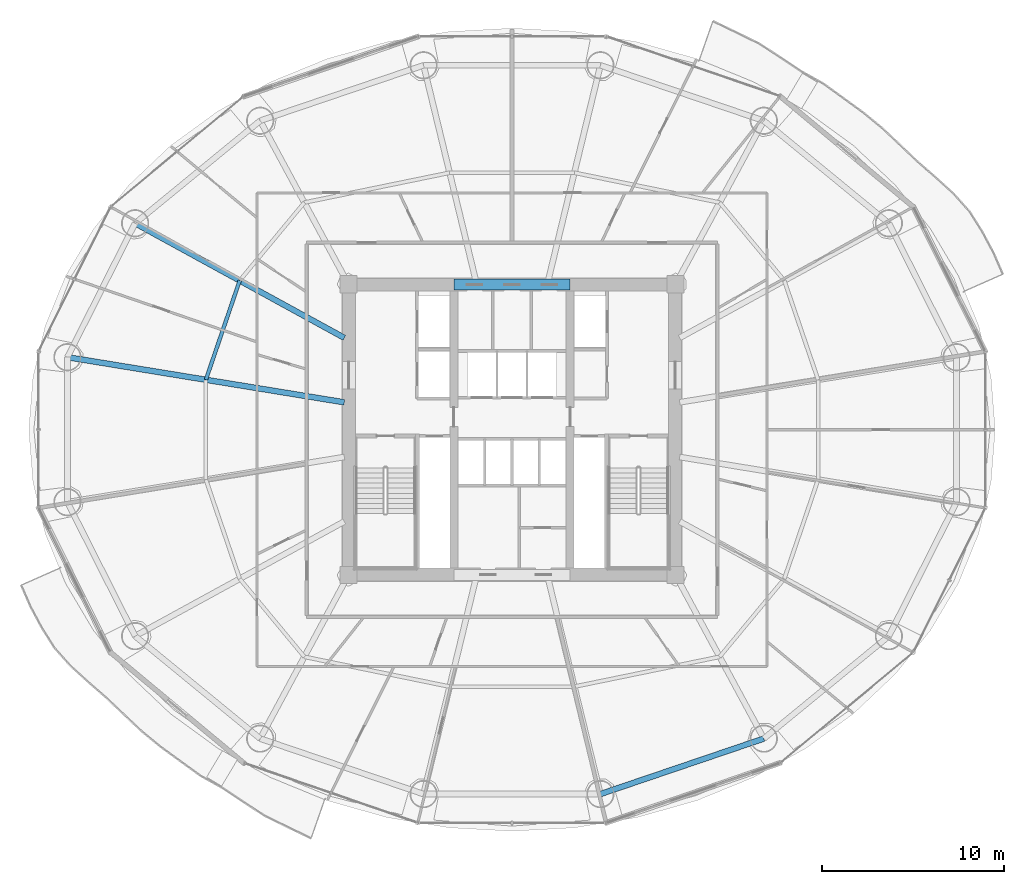
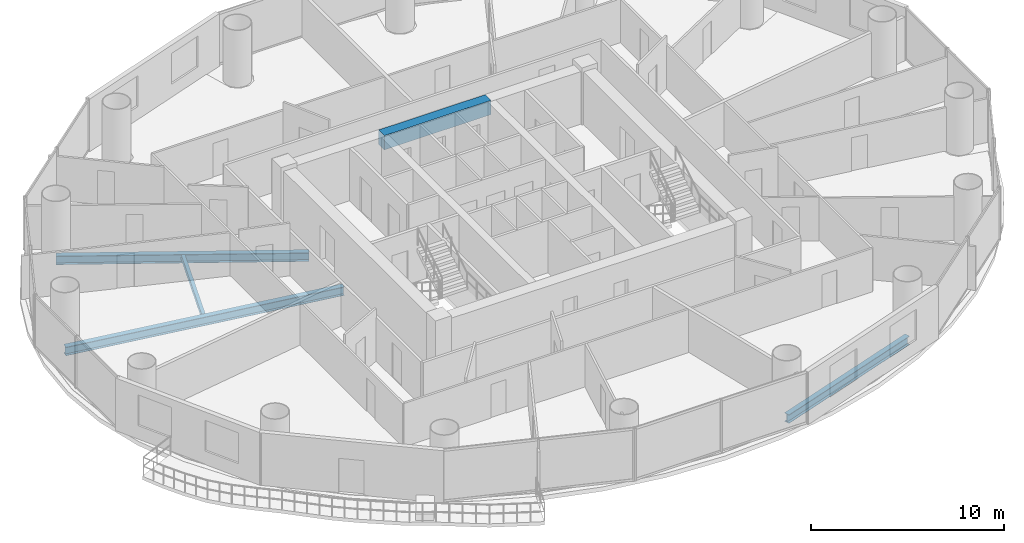
# One storey, part 10 of 29: 5 beams.
"""IFC4 building model written with IfcOpenShell, lengths in metres."""

from ifc_helpers import new_model, si_unit, direction, frame, origin, origin_2d, place, context, subcontext, project, spatial, rectangle, i_section, extrude, material, material_profile, profile_set, type_object, element, save


model = new_model("IFC4")

# Units and contexts
model_context = context("Model", 3, precision=1e-05, world=origin(), true_north=direction((-0.2419218956, 0.970295726276)))
body_context = subcontext(model_context, "Body", "Model", "MODEL_VIEW")
ifc_project = project(units=[si_unit("LENGTHUNIT", "METRE"), si_unit("AREAUNIT", "SQUARE_METRE"), si_unit("VOLUMEUNIT", "CUBIC_METRE"), si_unit("PLANEANGLEUNIT", "RADIAN"), si_unit("MASSUNIT", "GRAM", prefix="KILO")], contexts=[model_context])

# Site, building, storey
site_placement = place(None, origin())
site = spatial("IfcSite", under=ifc_project, at=site_placement, CompositionType="ELEMENT")
building_placement = place(site_placement, origin())
building = spatial("IfcBuilding", under=site, at=building_placement, Name="Cobrevalo Terracotta Tower", CompositionType="ELEMENT")
storey_placement = place(building_placement, frame((0.0, 0.0, 83.39990234375)))
storey = spatial("IfcBuildingStorey", under=building, at=storey_placement, Name="L21", CompositionType="ELEMENT", Elevation=83.39990234375)

# Beams
ifc_material_1 = material(Name="Concrete C60", Category="concrete")
ifc_material_profile_1 = material_profile(ifc_material_1, rectangle(XDim=0.60009765625, YDim=0.89990234375, at=origin_2d()), Name="RC CB 600x900")
ifc_profile_set_1 = profile_set([ifc_material_profile_1], Name="Concrete C60")
beam_type_1 = type_object("IfcBeamType", Name="Structural Beam RC CB 600x900 (Concrete C60)", PredefinedType="BEAM", material=ifc_profile_set_1)
beam_1_placement = place(storey_placement, frame((34.800048828125, 34.800048828125, 2.875), z_axis=(1.0, 0.0, 0.0), x_axis=(0.0, 1.0, 0.0)))
element("IfcBeam", 1, at=beam_1_placement, inside=storey, type_object=beam_type_1, Name="L21 core coupling beam 2", PredefinedType="BEAM", context=body_context, shape_type="SweptSolid", body=[
    extrude(rectangle(XDim=0.60009765625, YDim=0.89990234375, at=origin_2d()), origin(), (0.0, 0.0, 1.0), 6.39990234375),
])
ifc_material_2 = material(Name="Steel S355", Category="steel")
ifc_material_profile_2 = material_profile(ifc_material_2, i_section(OverallWidth=0.31201171875, OverallDepth=0.54296875, WebThickness=0.0126953125, FlangeThickness=0.020263671875, at=origin_2d()), Name="W 530x150")
ifc_profile_set_2 = profile_set([ifc_material_profile_2], Name="Steel S355")
beam_type_2 = type_object("IfcBeamType", Name="Structural Beam W 530x150 (Steel S355)", PredefinedType="BEAM", material=ifc_profile_set_2)
beam_2_placement = place(storey_placement, frame((17.2548828125, 38.161376953125, -0.54638671875), z_axis=(0.877080599376, -0.480343233738, 0.0), x_axis=(0.480343233738, 0.877080599376, 0.0)))
element("IfcBeam", 2, at=beam_2_placement, inside=storey, type_object=beam_type_2, Name="L21 radial floor girder 07", PredefinedType="BEAM", context=body_context, shape_type="SweptSolid", body=[
    extrude(i_section(OverallWidth=0.31201171875, OverallDepth=0.54296875, WebThickness=0.0126953125, FlangeThickness=0.020263671875, at=origin_2d()), origin(), (0.0, 0.0, 1.0), 13.12890625),
])
beam_3_placement = place(storey_placement, frame((13.529296875, 30.78955078125, -0.54638671875), z_axis=(0.986970567439, -0.160900898101, 0.0), x_axis=(0.160900898101, 0.986970567439, 0.0)))
element("IfcBeam", 3, at=beam_3_placement, inside=storey, type_object=beam_type_2, Name="L21 radial floor girder 08", PredefinedType="BEAM", context=body_context, shape_type="SweptSolid", body=[
    extrude(i_section(OverallWidth=0.31201171875, OverallDepth=0.54296875, WebThickness=0.0126953125, FlangeThickness=0.020263671875, at=origin_2d()), origin(), (0.0, 0.0, 1.0), 15.44189453125),
])
ifc_material_profile_3 = material_profile(ifc_material_2, i_section(OverallWidth=0.2041015625, OverallDepth=0.305908203125, WebThickness=0.008544921875, FlangeThickness=0.0146484375, at=origin_2d()), Name="W 310x67")
ifc_profile_set_3 = profile_set([ifc_material_profile_3], Name="Steel S355")
beam_type_3 = type_object("IfcBeamType", Name="Structural Joist W 310x67 (Steel S355)", PredefinedType="JOIST", material=ifc_profile_set_3)
beam_4_placement = place(storey_placement, frame((23.012451171875, 35.00830078125, -0.427978515625), z_axis=(-0.322833299398, -0.94645584197, 0.0), x_axis=(0.94645584197, -0.322833299398, 0.0)))
element("IfcBeam", 4, at=beam_4_placement, inside=storey, type_object=beam_type_3, Name="L21 circumferential secondary floor joist 07", PredefinedType="JOIST", context=body_context, shape_type="SweptSolid", body=[
    extrude(i_section(OverallWidth=0.2041015625, OverallDepth=0.305908203125, WebThickness=0.008544921875, FlangeThickness=0.0146484375, at=origin_2d()), origin(), (0.0, 0.0, 1.0), 5.77001953125),
])
ifc_material_profile_4 = material_profile(ifc_material_2, i_section(OverallWidth=0.31201171875, OverallDepth=0.54296875, WebThickness=0.0126953125, FlangeThickness=0.020263671875, at=origin_2d()), Name="W 530x150")
ifc_profile_set_4 = profile_set([ifc_material_profile_4], Name="Steel S355")
beam_type_4 = type_object("IfcBeamType", Name="Structural Spandrel W 530x150 (Steel S355)", PredefinedType="SPANDREL", material=ifc_profile_set_4)
beam_5_placement = place(storey_placement, frame((42.867431640625, 6.742919921875, -0.54638671875), z_axis=(0.94691835344, 0.321474154356, 0.0), x_axis=(-0.321474154356, 0.94691835344, 0.0)))
element("IfcBeam", 5, at=beam_5_placement, inside=storey, type_object=beam_type_4, Name="L21 perimeter ring spandrel 13", PredefinedType="SPANDREL", context=body_context, shape_type="SweptSolid", body=[
    extrude(i_section(OverallWidth=0.31201171875, OverallDepth=0.54296875, WebThickness=0.0126953125, FlangeThickness=0.020263671875, at=origin_2d()), origin(), (0.0, 0.0, 1.0), 9.498291015625),
])

save(model, "model.ifc")
